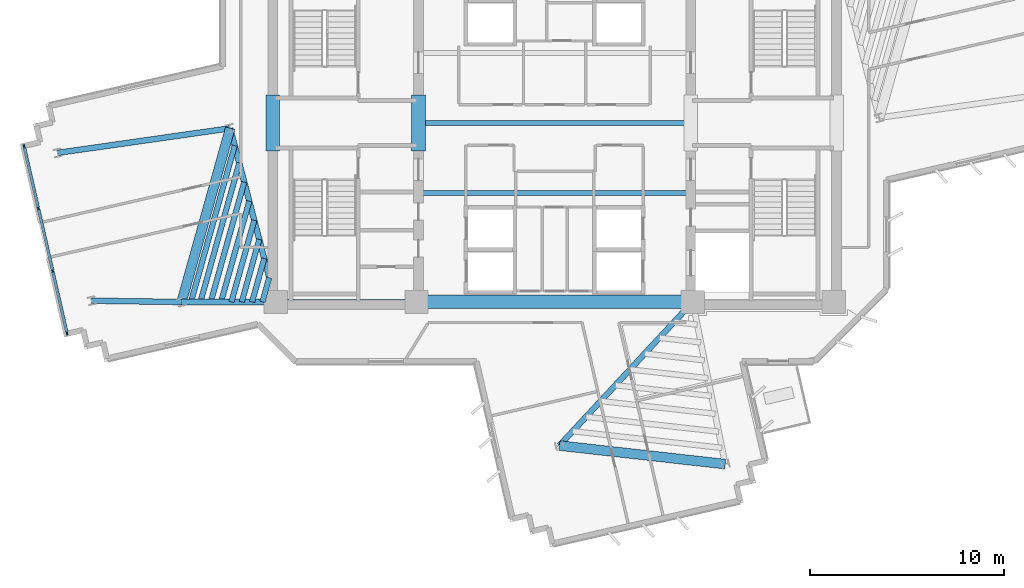
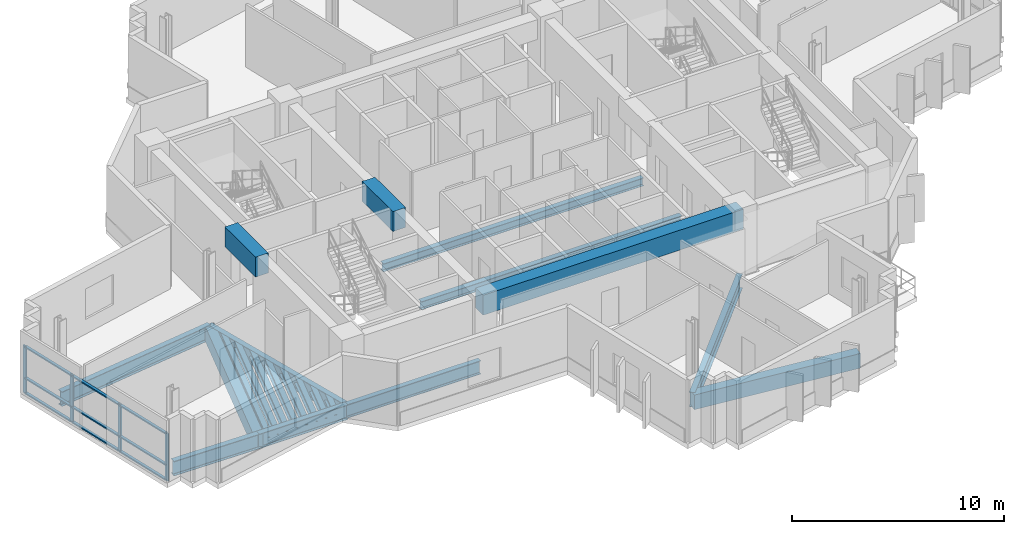
# One storey, part 2 of 13: 21 beams, 13 members, 1 element without a shape of its own.
"""IFC4 building model written with IfcOpenShell, lengths in metres."""

from ifc_helpers import new_model, si_unit, direction, frame, origin, origin_2d, place, context, subcontext, project, spatial, rectangle, i_section, extrude, source, transform, mapped, material, layer, layer_set, material_profile, profile_set, type_object, element, aggregate, save


model = new_model("IFC4")

# Units and contexts
model_context = context("Model", 3, precision=1e-05, world=origin(), true_north=direction((0.0, 1.0)))
body_context = subcontext(model_context, "Body", "Model", "MODEL_VIEW")
ifc_project = project(units=[si_unit("LENGTHUNIT", "METRE"), si_unit("AREAUNIT", "SQUARE_METRE"), si_unit("VOLUMEUNIT", "CUBIC_METRE"), si_unit("PLANEANGLEUNIT", "RADIAN"), si_unit("MASSUNIT", "GRAM", prefix="KILO")], contexts=[model_context])

# Site, building, storey
site_placement = place(None, origin())
site = spatial("IfcSite", under=ifc_project, at=site_placement, CompositionType="ELEMENT")
building_placement = place(site_placement, origin())
building = spatial("IfcBuilding", under=site, at=building_placement, Name="Zahravan Cultural Tower", CompositionType="ELEMENT")
storey_placement = place(building_placement, frame((0.0, 0.0, 178.5)))
storey = spatial("IfcBuildingStorey", under=building, at=storey_placement, Name="L41", CompositionType="ELEMENT", Elevation=178.5)

# Beams
ifc_material_1 = material(Name="Concrete C50/60", Category="concrete")
ifc_material_profile_1 = material_profile(ifc_material_1, rectangle(XDim=0.699951171875, YDim=1.14990234375, at=origin_2d()), Name="RC700X1150")
ifc_profile_set_1 = profile_set([ifc_material_profile_1], Name="Concrete C50/60")
beam_type_1 = type_object("IfcBeamType", Name="BM-LN-RC700X1150", PredefinedType="LINTEL", material=ifc_profile_set_1)
shared_shape_1 = source(origin(), body_context, "Body", "SweptSolid", [
    extrude(rectangle(XDim=0.699951171875, YDim=1.14990234375, at=origin_2d()), origin(), (0.0, 0.0, 1.0), 14.2001953125),
])
beam_1_placement = place(storey_placement, frame((28.89990234375, 17.800048828125, 3.044921875), z_axis=(1.0, 0.0, 0.0), x_axis=(0.0, 1.0, 0.0)))
element("IfcBeam", 1, at=beam_1_placement, inside=storey, type_object=beam_type_1, Name="L41 Beam LN-L41-S", PredefinedType="LINTEL", context=body_context, shape_type="MappedRepresentation", body=[
    mapped(shared_shape_1, transform((0.0, 0.0, 0.0), x_axis=(1.0, 0.0, 0.0), y_axis=(0.0, 1.0, 0.0), z_axis=(0.0, 0.0, 1.0), scale=1.0)),
])
shared_shape_2 = source(origin(), body_context, "Body", "SweptSolid", [
    extrude(rectangle(XDim=0.699951171875, YDim=1.14990234375, at=origin_2d()), origin(), (0.0, 0.0, 1.0), 2.89990234375),
])
for number, where, z_axis, x_axis, name in (
    (2, (21.5, 25.550048828125, 3.044921875), (0.0, 1.0, 0.0), (-1.0, 0.0, 0.0), "L41 Beam LN-L41-PWW"),
    (3, (29.0, 25.550048828125, 3.044921875), (0.0, 1.0, 0.0), (-1.0, 0.0, 0.0), "L41 Beam LN-L41-PWE"),
):
    element("IfcBeam", number, at=place(storey_placement, frame(where, z_axis=z_axis, x_axis=x_axis)), inside=storey, type_object=beam_type_1, Name=name, PredefinedType="LINTEL", context=body_context, shape_type="MappedRepresentation", body=[
        mapped(shared_shape_2, transform((0.0, 0.0, 0.0), x_axis=(1.0, 0.0, 0.0), y_axis=(0.0, 1.0, 0.0), z_axis=(0.0, 0.0, 1.0), scale=1.0)),
    ])
ifc_material_2 = material(Name="Steel ASTM A992 Grade 50", Category="steel")
ifc_material_profile_2 = material_profile(ifc_material_2, i_section(OverallWidth=0.26611328125, OverallDepth=0.780029296875, WebThickness=0.0166015625, FlangeThickness=0.030029296875, FilletRadius=0.01904296875, at=origin_2d()), Name="W30X148")
ifc_profile_set_2 = profile_set([ifc_material_profile_2], Name="Steel ASTM A992 Grade 50")
beam_type_2 = type_object("IfcBeamType", Name="BM-G-W30X148", PredefinedType="BEAM", material=ifc_profile_set_2)
shared_shape_3 = source(origin(), body_context, "Body", "SweptSolid", [
    extrude(i_section(OverallWidth=0.26611328125, OverallDepth=0.780029296875, WebThickness=0.0166015625, FlangeThickness=0.030029296875, FilletRadius=0.01904296875, at=origin_2d()), origin(), (0.0, 0.0, 1.0), 7.25),
])
beam_2_placement = place(storey_placement, frame((21.64990234375, 17.800048828125, -0.669921875), z_axis=(1.0, 0.0, 0.0), x_axis=(0.0, 1.0, 0.0)))
element("IfcBeam", 4, at=beam_2_placement, inside=storey, type_object=beam_type_2, Name="L41 Beam BG-L41-01", PredefinedType="BEAM", context=body_context, shape_type="MappedRepresentation", body=[
    mapped(shared_shape_3, transform((0.0, 0.0, 0.0), x_axis=(1.0, 0.0, 0.0), y_axis=(0.0, 1.0, 0.0), z_axis=(0.0, 0.0, 1.0), scale=1.0)),
])
ifc_material_profile_3 = material_profile(ifc_material_1, rectangle(XDim=0.5, YDim=0.85009765625, at=origin_2d()), Name="RC500X850")
ifc_profile_set_3 = profile_set([ifc_material_profile_3], Name="Concrete C50/60")
beam_type_3 = type_object("IfcBeamType", Name="BM-SP-RC500X850", PredefinedType="SPANDREL", material=ifc_profile_set_3)
shared_shape_4 = source(origin(), body_context, "Body", "SweptSolid", [
    extrude(rectangle(XDim=0.5, YDim=0.85009765625, at=origin_2d()), origin(), (0.0, 0.0, 1.0), 9.2783203125),
])
beam_3_placement = place(storey_placement, frame((19.315673828125, 26.72900390625, -0.705078125), z_axis=(-0.269497187032, -0.963001176625, 0.0), x_axis=(0.963001176625, -0.269497187032, 0.0)))
element("IfcBeam", 5, at=beam_3_placement, inside=storey, type_object=beam_type_3, Name="L41 Beam SP-L41-19", PredefinedType="SPANDREL", context=body_context, shape_type="MappedRepresentation", body=[
    mapped(shared_shape_4, transform((0.0, 0.0, 0.0), x_axis=(1.0, 0.0, 0.0), y_axis=(0.0, 1.0, 0.0), z_axis=(0.0, 0.0, 1.0), scale=1.0)),
])
shared_shape_5 = source(origin(), body_context, "Body", "SweptSolid", [
    extrude(rectangle(XDim=0.5, YDim=0.85009765625, at=origin_2d()), origin(), (0.0, 0.0, 1.0), 8.579833984375),
])
beam_4_placement = place(storey_placement, frame((36.245361328125, 10.412353515625, -0.705078125), z_axis=(0.9938040105, -0.11114669907, 0.0), x_axis=(0.11114669907, 0.9938040105, 0.0)))
element("IfcBeam", 6, at=beam_4_placement, inside=storey, type_object=beam_type_3, Name="L41 Beam SP-L41-20", PredefinedType="SPANDREL", context=body_context, shape_type="MappedRepresentation", body=[
    mapped(shared_shape_5, transform((0.0, 0.0, 0.0), x_axis=(1.0, 0.0, 0.0), y_axis=(0.0, 1.0, 0.0), z_axis=(0.0, 0.0, 1.0), scale=1.0)),
])
ifc_material_profile_4 = material_profile(ifc_material_2, i_section(OverallWidth=0.29296875, OverallDepth=0.845947265625, WebThickness=0.015380859375, FlangeThickness=0.0244140625, FilletRadius=0.02001953125, at=origin_2d()), Name="W33X141")
ifc_profile_set_4 = profile_set([ifc_material_profile_4], Name="Steel ASTM A992 Grade 50")
beam_type_4 = type_object("IfcBeamType", Name="BM-G-W33X141", PredefinedType="BEAM", material=ifc_profile_set_4)
shared_shape_6 = source(origin(), body_context, "Body", "SweptSolid", [
    extrude(i_section(OverallWidth=0.29296875, OverallDepth=0.845947265625, WebThickness=0.015380859375, FlangeThickness=0.0244140625, FilletRadius=0.02001953125, at=origin_2d()), origin(), (0.0, 0.0, 1.0), 9.22900390625),
])
beam_5_placement = place(storey_placement, frame((21.64990234375, 17.800048828125, -0.702880859375), z_axis=(-0.252922608408, 0.967486513682, 0.0), x_axis=(-0.967486513682, -0.252922608408, 0.0)))
element("IfcBeam", 7, at=beam_5_placement, inside=storey, type_object=beam_type_4, Name="L41 Beam BG-L41-07", PredefinedType="BEAM", context=body_context, shape_type="MappedRepresentation", body=[
    mapped(shared_shape_6, transform((0.0, 0.0, 0.0), x_axis=(1.0, 0.0, 0.0), y_axis=(0.0, 1.0, 0.0), z_axis=(0.0, 0.0, 1.0), scale=1.0)),
])
shared_shape_7 = source(origin(), body_context, "Body", "SweptSolid", [
    extrude(i_section(OverallWidth=0.29296875, OverallDepth=0.845947265625, WebThickness=0.015380859375, FlangeThickness=0.0244140625, FilletRadius=0.02001953125, at=origin_2d()), origin(), (0.0, 0.0, 1.0), 4.834716796875),
])
beam_6_placement = place(storey_placement, frame((21.64990234375, 17.800048828125, -0.702880859375), z_axis=(-0.99999920313, -0.001262433979, 0.0), x_axis=(0.001262433979, -0.99999920313, 0.0)))
element("IfcBeam", 8, at=beam_6_placement, inside=storey, type_object=beam_type_4, Name="L41 Beam BG-L41-08", PredefinedType="BEAM", context=body_context, shape_type="MappedRepresentation", body=[
    mapped(shared_shape_7, transform((0.0, 0.0, 0.0), x_axis=(1.0, 0.0, 0.0), y_axis=(0.0, 1.0, 0.0), z_axis=(0.0, 0.0, 1.0), scale=1.0)),
])
shared_shape_8 = source(origin(), body_context, "Body", "SweptSolid", [
    extrude(i_section(OverallWidth=0.29296875, OverallDepth=0.845947265625, WebThickness=0.015380859375, FlangeThickness=0.0244140625, FilletRadius=0.02001953125, at=origin_2d()), origin(), (0.0, 0.0, 1.0), 10.077880859375),
])
beam_7_placement = place(storey_placement, frame((43.10009765625, 17.800048828125, -0.702880859375), z_axis=(-0.680170435587, -0.733054007938, 0.0), x_axis=(0.733054007938, -0.680170435587, 0.0)))
element("IfcBeam", 9, at=beam_7_placement, inside=storey, type_object=beam_type_4, Name="L41 Beam BG-L41-09", PredefinedType="BEAM", context=body_context, shape_type="MappedRepresentation", body=[
    mapped(shared_shape_8, transform((0.0, 0.0, 0.0), x_axis=(1.0, 0.0, 0.0), y_axis=(0.0, 1.0, 0.0), z_axis=(0.0, 0.0, 1.0), scale=1.0)),
])
shared_shape_9 = source(origin(), body_context, "Body", "SweptSolid", [
    extrude(i_section(OverallWidth=0.29296875, OverallDepth=0.845947265625, WebThickness=0.015380859375, FlangeThickness=0.0244140625, FilletRadius=0.02001953125, at=origin_2d()), origin(), (0.0, 0.0, 1.0), 8.9580078125),
])
beam_8_placement = place(storey_placement, frame((19.315673828125, 26.72900390625, -0.702880859375), z_axis=(-0.990000122431, -0.141066500584, 0.0), x_axis=(0.141066500584, -0.990000122431, 0.0)))
element("IfcBeam", 10, at=beam_8_placement, inside=storey, type_object=beam_type_4, Name="L41 Beam BG-L41-17", PredefinedType="BEAM", context=body_context, shape_type="MappedRepresentation", body=[
    mapped(shared_shape_9, transform((0.0, 0.0, 0.0), x_axis=(1.0, 0.0, 0.0), y_axis=(0.0, 1.0, 0.0), z_axis=(0.0, 0.0, 1.0), scale=1.0)),
])
shared_shape_10 = source(origin(), body_context, "Body", "SweptSolid", [
    extrude(i_section(OverallWidth=0.29296875, OverallDepth=0.845947265625, WebThickness=0.015380859375, FlangeThickness=0.0244140625, FilletRadius=0.02001953125, at=origin_2d()), origin(), (0.0, 0.0, 1.0), 4.622314453125),
])
beam_9_placement = place(storey_placement, frame((16.815185546875, 17.7939453125, -0.702880859375), z_axis=(-0.999889070044, 0.014894549562, 0.0), x_axis=(-0.014894549562, -0.999889070044, 0.0)))
element("IfcBeam", 11, at=beam_9_placement, inside=storey, type_object=beam_type_4, Name="L41 Beam BG-L41-18", PredefinedType="BEAM", context=body_context, shape_type="MappedRepresentation", body=[
    mapped(shared_shape_10, transform((0.0, 0.0, 0.0), x_axis=(1.0, 0.0, 0.0), y_axis=(0.0, 1.0, 0.0), z_axis=(0.0, 0.0, 1.0), scale=1.0)),
])
ifc_material_profile_5 = material_profile(ifc_material_2, i_section(OverallWidth=0.280029296875, OverallDepth=0.462890625, WebThickness=0.0107421875, FlangeThickness=0.017333984375, FilletRadius=0.012939453125, at=origin_2d()), Name="W18X76")
ifc_profile_set_5 = profile_set([ifc_material_profile_5], Name="Steel ASTM A992 Grade 50")
beam_type_5 = type_object("IfcBeamType", Name="BM-J-W18X76", PredefinedType="JOIST", material=ifc_profile_set_5)
shared_shape_11 = source(origin(), body_context, "Body", "SweptSolid", [
    extrude(i_section(OverallWidth=0.280029296875, OverallDepth=0.462890625, WebThickness=0.0107421875, FlangeThickness=0.017333984375, FilletRadius=0.012939453125, at=origin_2d()), origin(), (0.0, 0.0, 1.0), 14.2001953125),
])
for number, where, z_axis, x_axis, name in (
    (12, (28.89990234375, 23.39990234375, -0.511474609375), (1.0, 0.0, 0.0), (0.0, 1.0, 0.0), "L41 Beam BJ-L41-23"),
    (13, (28.89990234375, 27.0, -0.511474609375), (1.0, 0.0, 0.0), (0.0, 1.0, 0.0), "L41 Beam BJ-L41-24"),
):
    element("IfcBeam", number, at=place(storey_placement, frame(where, z_axis=z_axis, x_axis=x_axis)), inside=storey, type_object=beam_type_5, Name=name, PredefinedType="JOIST", context=body_context, shape_type="MappedRepresentation", body=[
        mapped(shared_shape_11, transform((0.0, 0.0, 0.0), x_axis=(1.0, 0.0, 0.0), y_axis=(0.0, 1.0, 0.0), z_axis=(0.0, 0.0, 1.0), scale=1.0)),
    ])
shared_shape_12 = source(origin(), body_context, "Body", "SweptSolid", [
    extrude(i_section(OverallWidth=0.280029296875, OverallDepth=0.462890625, WebThickness=0.0107421875, FlangeThickness=0.017333984375, FilletRadius=0.012939453125, at=origin_2d()), origin(), (0.0, 0.0, 1.0), 1.299072265625),
])
beam_10_placement = place(storey_placement, frame((21.3232421875, 19.050048828125, -0.511474609375), z_axis=(-0.269504444708, -0.962999145525, 0.0), x_axis=(0.962999145525, -0.269504444708, 0.0)))
element("IfcBeam", 14, at=beam_10_placement, inside=storey, type_object=beam_type_5, Name="L41 Beam BJ-L41-26", PredefinedType="JOIST", context=body_context, shape_type="MappedRepresentation", body=[
    mapped(shared_shape_12, transform((0.0, 0.0, 0.0), x_axis=(1.0, 0.0, 0.0), y_axis=(0.0, 1.0, 0.0), z_axis=(0.0, 0.0, 1.0), scale=1.0)),
])
shared_shape_13 = source(origin(), body_context, "Body", "SweptSolid", [
    extrude(i_section(OverallWidth=0.280029296875, OverallDepth=0.462890625, WebThickness=0.0107421875, FlangeThickness=0.017333984375, FilletRadius=0.012939453125, at=origin_2d()), origin(), (0.0, 0.0, 1.0), 2.3193359375),
])
beam_11_placement = place(storey_placement, frame((21.06640625, 20.0322265625, -0.511474609375), z_axis=(-0.269462038626, -0.963011012263, 0.0), x_axis=(0.963011012263, -0.269462038626, 0.0)))
element("IfcBeam", 15, at=beam_11_placement, inside=storey, type_object=beam_type_5, Name="L41 Beam BJ-L41-27", PredefinedType="JOIST", context=body_context, shape_type="MappedRepresentation", body=[
    mapped(shared_shape_13, transform((0.0, 0.0, 0.0), x_axis=(1.0, 0.0, 0.0), y_axis=(0.0, 1.0, 0.0), z_axis=(0.0, 0.0, 1.0), scale=1.0)),
])
shared_shape_14 = source(origin(), body_context, "Body", "SweptSolid", [
    extrude(i_section(OverallWidth=0.280029296875, OverallDepth=0.462890625, WebThickness=0.0107421875, FlangeThickness=0.017333984375, FilletRadius=0.012939453125, at=origin_2d()), origin(), (0.0, 0.0, 1.0), 3.340087890625),
])
beam_12_placement = place(storey_placement, frame((20.809814453125, 21.014404296875, -0.511474609375), z_axis=(-0.269562146951, -0.962982995141, 0.0), x_axis=(0.962982995141, -0.269562146951, 0.0)))
element("IfcBeam", 16, at=beam_12_placement, inside=storey, type_object=beam_type_5, Name="L41 Beam BJ-L41-28", PredefinedType="JOIST", context=body_context, shape_type="MappedRepresentation", body=[
    mapped(shared_shape_14, transform((0.0, 0.0, 0.0), x_axis=(1.0, 0.0, 0.0), y_axis=(0.0, 1.0, 0.0), z_axis=(0.0, 0.0, 1.0), scale=1.0)),
])
shared_shape_15 = source(origin(), body_context, "Body", "SweptSolid", [
    extrude(i_section(OverallWidth=0.280029296875, OverallDepth=0.462890625, WebThickness=0.0107421875, FlangeThickness=0.017333984375, FilletRadius=0.012939453125, at=origin_2d()), origin(), (0.0, 0.0, 1.0), 4.36083984375),
])
beam_13_placement = place(storey_placement, frame((20.552978515625, 21.99658203125, -0.511474609375), z_axis=(-0.269511557673, -0.962997154866, 0.0), x_axis=(0.962997154866, -0.269511557673, 0.0)))
element("IfcBeam", 17, at=beam_13_placement, inside=storey, type_object=beam_type_5, Name="L41 Beam BJ-L41-29", PredefinedType="JOIST", context=body_context, shape_type="MappedRepresentation", body=[
    mapped(shared_shape_15, transform((0.0, 0.0, 0.0), x_axis=(1.0, 0.0, 0.0), y_axis=(0.0, 1.0, 0.0), z_axis=(0.0, 0.0, 1.0), scale=1.0)),
])
shared_shape_16 = source(origin(), body_context, "Body", "SweptSolid", [
    extrude(i_section(OverallWidth=0.280029296875, OverallDepth=0.462890625, WebThickness=0.0107421875, FlangeThickness=0.017333984375, FilletRadius=0.012939453125, at=origin_2d()), origin(), (0.0, 0.0, 1.0), 5.3818359375),
])
beam_14_placement = place(storey_placement, frame((20.296142578125, 22.97900390625, -0.511474609375), z_axis=(-0.269510454638, -0.962997463569, 0.0), x_axis=(0.962997463569, -0.269510454638, 0.0)))
element("IfcBeam", 18, at=beam_14_placement, inside=storey, type_object=beam_type_5, Name="L41 Beam BJ-L41-30", PredefinedType="JOIST", context=body_context, shape_type="MappedRepresentation", body=[
    mapped(shared_shape_16, transform((0.0, 0.0, 0.0), x_axis=(1.0, 0.0, 0.0), y_axis=(0.0, 1.0, 0.0), z_axis=(0.0, 0.0, 1.0), scale=1.0)),
])
shared_shape_17 = source(origin(), body_context, "Body", "SweptSolid", [
    extrude(i_section(OverallWidth=0.280029296875, OverallDepth=0.462890625, WebThickness=0.0107421875, FlangeThickness=0.017333984375, FilletRadius=0.012939453125, at=origin_2d()), origin(), (0.0, 0.0, 1.0), 6.402099609375),
])
beam_15_placement = place(storey_placement, frame((20.039306640625, 23.961181640625, -0.511474609375), z_axis=(-0.269494133533, -0.963002031146, 0.0), x_axis=(0.963002031146, -0.269494133533, 0.0)))
element("IfcBeam", 19, at=beam_15_placement, inside=storey, type_object=beam_type_5, Name="L41 Beam BJ-L41-31", PredefinedType="JOIST", context=body_context, shape_type="MappedRepresentation", body=[
    mapped(shared_shape_17, transform((0.0, 0.0, 0.0), x_axis=(1.0, 0.0, 0.0), y_axis=(0.0, 1.0, 0.0), z_axis=(0.0, 0.0, 1.0), scale=1.0)),
])
shared_shape_18 = source(origin(), body_context, "Body", "SweptSolid", [
    extrude(i_section(OverallWidth=0.280029296875, OverallDepth=0.462890625, WebThickness=0.0107421875, FlangeThickness=0.017333984375, FilletRadius=0.012939453125, at=origin_2d()), origin(), (0.0, 0.0, 1.0), 7.4228515625),
])
beam_16_placement = place(storey_placement, frame((19.78271484375, 24.943359375, -0.511474609375), z_axis=(-0.269504266128, -0.962999195503, 0.0), x_axis=(0.962999195503, -0.269504266128, 0.0)))
element("IfcBeam", 20, at=beam_16_placement, inside=storey, type_object=beam_type_5, Name="L41 Beam BJ-L41-32", PredefinedType="JOIST", context=body_context, shape_type="MappedRepresentation", body=[
    mapped(shared_shape_18, transform((0.0, 0.0, 0.0), x_axis=(1.0, 0.0, 0.0), y_axis=(0.0, 1.0, 0.0), z_axis=(0.0, 0.0, 1.0), scale=1.0)),
])
shared_shape_19 = source(origin(), body_context, "Body", "SweptSolid", [
    extrude(i_section(OverallWidth=0.280029296875, OverallDepth=0.462890625, WebThickness=0.0107421875, FlangeThickness=0.017333984375, FilletRadius=0.012939453125, at=origin_2d()), origin(), (0.0, 0.0, 1.0), 8.350830078125),
])
beam_17_placement = place(storey_placement, frame((19.549072265625, 25.836181640625, -0.511474609375), z_axis=(-0.269496539555, -0.963001357822, 0.0), x_axis=(0.963001357822, -0.269496539555, 0.0)))
element("IfcBeam", 21, at=beam_17_placement, inside=storey, type_object=beam_type_5, Name="L41 Beam BJ-L41-33", PredefinedType="JOIST", context=body_context, shape_type="MappedRepresentation", body=[
    mapped(shared_shape_19, transform((0.0, 0.0, 0.0), x_axis=(1.0, 0.0, 0.0), y_axis=(0.0, 1.0, 0.0), z_axis=(0.0, 0.0, 1.0), scale=1.0)),
])

# Curtain wall, members
ifc_material_3 = material(Name="Anodised bronze-aluminium mullion", Category="aluminium")
ifc_layer = layer(ifc_material_3, 0.199951171875)
ifc_layer_set = layer_set([ifc_layer], Name="Anodised bronze-aluminium mullion")
curtain_wall_type = type_object("IfcCurtainWallType", Name="CW-SYS-2", PredefinedType="USERDEFINED", material=ifc_layer_set)
curtain_wall_placement = place(storey_placement, origin())
curtain_wall = element("IfcCurtainWall", 22, at=curtain_wall_placement, inside=storey, type_object=curtain_wall_type, Name="L41 Recessed Curtain Wall CW-2.2", ObjectType="RECESSED GLAZING", PredefinedType="USERDEFINED")
ifc_material_profile_6 = material_profile(ifc_material_3, rectangle(XDim=0.14990234375, YDim=0.074951171875, at=origin_2d()), Name="AL-T75X150")
ifc_profile_set_6 = profile_set([ifc_material_profile_6], Name="Anodised bronze-aluminium mullion")
member_type_1 = type_object("IfcMemberType", Name="CWT-CW-2", PredefinedType="USERDEFINED", material=ifc_profile_set_6)
shared_shape_20 = source(origin(), body_context, "Body", "SweptSolid", [
    extrude(rectangle(XDim=0.14990234375, YDim=0.074951171875, at=origin_2d()), origin(), (0.0, 0.0, 1.0), 3.231689453125),
])
member_1_placement = place(storey_placement, frame((10.181396484375, 19.41943359375, 0.03759765625), z_axis=(-0.223612410079, 0.974678146907, 0.0), x_axis=(-0.974678146907, -0.223612410079, 0.0)))
member_1 = element("IfcMember", 23, at=member_1_placement, type_object=member_type_1, Name="CW-2 transom 2.1", ObjectType="TRANSOM", PredefinedType="USERDEFINED", context=body_context, shape_type="MappedRepresentation", body=[
    mapped(shared_shape_20, transform((0.0, 0.0, 0.0), x_axis=(1.0, 0.0, 0.0), y_axis=(0.0, 1.0, 0.0), z_axis=(0.0, 0.0, 1.0), scale=1.0)),
])
member_2_placement = place(storey_placement, frame((10.181396484375, 19.41943359375, 0.89990234375), z_axis=(-0.223612410079, 0.974678146907, 0.0), x_axis=(-0.974678146907, -0.223612410079, 0.0)))
member_2 = element("IfcMember", 24, at=member_2_placement, type_object=member_type_1, Name="CW-2 transom 2.2", ObjectType="TRANSOM", PredefinedType="USERDEFINED", context=body_context, shape_type="MappedRepresentation", body=[
    mapped(shared_shape_20, transform((0.0, 0.0, 0.0), x_axis=(1.0, 0.0, 0.0), y_axis=(0.0, 1.0, 0.0), z_axis=(0.0, 0.0, 1.0), scale=1.0)),
])
member_3_placement = place(storey_placement, frame((10.181396484375, 19.41943359375, 2.702392578125), z_axis=(-0.223612410079, 0.974678146907, 0.0), x_axis=(-0.974678146907, -0.223612410079, 0.0)))
member_3 = element("IfcMember", 25, at=member_3_placement, type_object=member_type_1, Name="CW-2 transom 2.3", ObjectType="TRANSOM", PredefinedType="USERDEFINED", context=body_context, shape_type="MappedRepresentation", body=[
    mapped(shared_shape_20, transform((0.0, 0.0, 0.0), x_axis=(1.0, 0.0, 0.0), y_axis=(0.0, 1.0, 0.0), z_axis=(0.0, 0.0, 1.0), scale=1.0)),
])
ifc_material_profile_7 = material_profile(ifc_material_3, rectangle(XDim=0.074951171875, YDim=0.199951171875, at=origin_2d()), Name="AL-M75X200")
ifc_profile_set_7 = profile_set([ifc_material_profile_7], Name="Anodised bronze-aluminium mullion")
member_type_2 = type_object("IfcMemberType", Name="CWM-CW-2", PredefinedType="MULLION", material=ifc_profile_set_7)
shared_shape_21 = source(origin(), body_context, "Body", "SweptSolid", [
    extrude(rectangle(XDim=0.074951171875, YDim=0.199951171875, at=origin_2d()), origin(), (0.0, 0.0, 1.0), 2.739990234375),
])
member_4_placement = place(storey_placement, frame((10.920654296875, 16.196533203125, 0.0), z_axis=(0.0, 0.0, 1.0), x_axis=(-0.974681078884, -0.223599629842, 0.0)))
member_4 = element("IfcMember", 26, at=member_4_placement, type_object=member_type_2, Name="CW-2 mullion 1", PredefinedType="MULLION", context=body_context, shape_type="MappedRepresentation", body=[
    mapped(shared_shape_21, transform((0.0, 0.0, 0.0), x_axis=(1.0, 0.0, 0.0), y_axis=(0.0, 1.0, 0.0), z_axis=(0.0, 0.0, 1.0), scale=1.0)),
])
member_5_placement = place(storey_placement, frame((10.189697265625, 19.3828125, 0.0), z_axis=(0.0, 0.0, 1.0), x_axis=(-0.974681078884, -0.223599629842, 0.0)))
member_5 = element("IfcMember", 27, at=member_5_placement, type_object=member_type_2, Name="CW-2 mullion 2", PredefinedType="MULLION", context=body_context, shape_type="MappedRepresentation", body=[
    mapped(shared_shape_21, transform((0.0, 0.0, 0.0), x_axis=(1.0, 0.0, 0.0), y_axis=(0.0, 1.0, 0.0), z_axis=(0.0, 0.0, 1.0), scale=1.0)),
])
member_6_placement = place(storey_placement, frame((9.450439453125, 22.60595703125, 0.0), z_axis=(0.0, 0.0, 1.0), x_axis=(-0.974681078884, -0.223599629842, 0.0)))
member_6 = element("IfcMember", 28, at=member_6_placement, type_object=member_type_2, Name="CW-2 mullion 3", PredefinedType="MULLION", context=body_context, shape_type="MappedRepresentation", body=[
    mapped(shared_shape_21, transform((0.0, 0.0, 0.0), x_axis=(1.0, 0.0, 0.0), y_axis=(0.0, 1.0, 0.0), z_axis=(0.0, 0.0, 1.0), scale=1.0)),
])
member_7_placement = place(storey_placement, frame((8.719482421875, 25.792236328125, 0.0), z_axis=(0.0, 0.0, 1.0), x_axis=(-0.974681078884, -0.223599629842, 0.0)))
member_7 = element("IfcMember", 29, at=member_7_placement, type_object=member_type_2, Name="CW-2 mullion 4", PredefinedType="MULLION", context=body_context, shape_type="MappedRepresentation", body=[
    mapped(shared_shape_21, transform((0.0, 0.0, 0.0), x_axis=(1.0, 0.0, 0.0), y_axis=(0.0, 1.0, 0.0), z_axis=(0.0, 0.0, 1.0), scale=1.0)),
])
shared_shape_22 = source(origin(), body_context, "Body", "SweptSolid", [
    extrude(rectangle(XDim=0.14990234375, YDim=0.074951171875, at=origin_2d()), origin(), (0.0, 0.0, 1.0), 3.194091796875),
])
member_8_placement = place(storey_placement, frame((10.912353515625, 16.233154296875, 0.03759765625), z_axis=(-0.223642417861, 0.974671261982, 0.0), x_axis=(-0.974671261982, -0.223642417861, 0.0)))
member_8 = element("IfcMember", 30, at=member_8_placement, type_object=member_type_1, Name="CW-2 transom 1.1", ObjectType="TRANSOM", PredefinedType="USERDEFINED", context=body_context, shape_type="MappedRepresentation", body=[
    mapped(shared_shape_22, transform((0.0, 0.0, 0.0), x_axis=(1.0, 0.0, 0.0), y_axis=(0.0, 1.0, 0.0), z_axis=(0.0, 0.0, 1.0), scale=1.0)),
])
member_9_placement = place(storey_placement, frame((10.912353515625, 16.233154296875, 0.89990234375), z_axis=(-0.223642417861, 0.974671261982, 0.0), x_axis=(-0.974671261982, -0.223642417861, 0.0)))
member_9 = element("IfcMember", 31, at=member_9_placement, type_object=member_type_1, Name="CW-2 transom 1.2", ObjectType="TRANSOM", PredefinedType="USERDEFINED", context=body_context, shape_type="MappedRepresentation", body=[
    mapped(shared_shape_22, transform((0.0, 0.0, 0.0), x_axis=(1.0, 0.0, 0.0), y_axis=(0.0, 1.0, 0.0), z_axis=(0.0, 0.0, 1.0), scale=1.0)),
])
member_10_placement = place(storey_placement, frame((10.912353515625, 16.233154296875, 2.702392578125), z_axis=(-0.223642417861, 0.974671261982, 0.0), x_axis=(-0.974671261982, -0.223642417861, 0.0)))
member_10 = element("IfcMember", 32, at=member_10_placement, type_object=member_type_1, Name="CW-2 transom 1.3", ObjectType="TRANSOM", PredefinedType="USERDEFINED", context=body_context, shape_type="MappedRepresentation", body=[
    mapped(shared_shape_22, transform((0.0, 0.0, 0.0), x_axis=(1.0, 0.0, 0.0), y_axis=(0.0, 1.0, 0.0), z_axis=(0.0, 0.0, 1.0), scale=1.0)),
])
member_11_placement = place(storey_placement, frame((9.44189453125, 22.642333984375, 0.03759765625), z_axis=(-0.223569806042, 0.974687920222, 0.0), x_axis=(-0.974687920222, -0.223569806042, 0.0)))
member_11 = element("IfcMember", 33, at=member_11_placement, type_object=member_type_1, Name="CW-2 transom 3.1", ObjectType="TRANSOM", PredefinedType="USERDEFINED", context=body_context, shape_type="MappedRepresentation", body=[
    mapped(shared_shape_22, transform((0.0, 0.0, 0.0), x_axis=(1.0, 0.0, 0.0), y_axis=(0.0, 1.0, 0.0), z_axis=(0.0, 0.0, 1.0), scale=1.0)),
])
member_12_placement = place(storey_placement, frame((9.44189453125, 22.642333984375, 0.89990234375), z_axis=(-0.223569806042, 0.974687920222, 0.0), x_axis=(-0.974687920222, -0.223569806042, 0.0)))
member_12 = element("IfcMember", 34, at=member_12_placement, type_object=member_type_1, Name="CW-2 transom 3.2", ObjectType="TRANSOM", PredefinedType="USERDEFINED", context=body_context, shape_type="MappedRepresentation", body=[
    mapped(shared_shape_22, transform((0.0, 0.0, 0.0), x_axis=(1.0, 0.0, 0.0), y_axis=(0.0, 1.0, 0.0), z_axis=(0.0, 0.0, 1.0), scale=1.0)),
])
member_13_placement = place(storey_placement, frame((9.44189453125, 22.642333984375, 2.702392578125), z_axis=(-0.223569806042, 0.974687920222, 0.0), x_axis=(-0.974687920222, -0.223569806042, 0.0)))
member_13 = element("IfcMember", 35, at=member_13_placement, type_object=member_type_1, Name="CW-2 transom 3.3", ObjectType="TRANSOM", PredefinedType="USERDEFINED", context=body_context, shape_type="MappedRepresentation", body=[
    mapped(shared_shape_22, transform((0.0, 0.0, 0.0), x_axis=(1.0, 0.0, 0.0), y_axis=(0.0, 1.0, 0.0), z_axis=(0.0, 0.0, 1.0), scale=1.0)),
])
aggregate(curtain_wall, [member_4, member_5, member_6, member_7, member_8, member_9, member_10, member_1, member_2, member_3, member_11, member_12, member_13])

save(model, "model.ifc")
